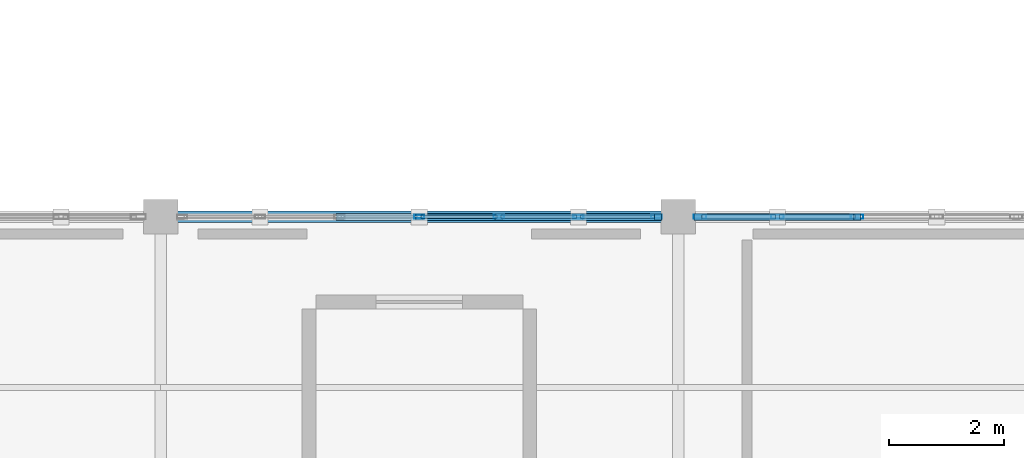
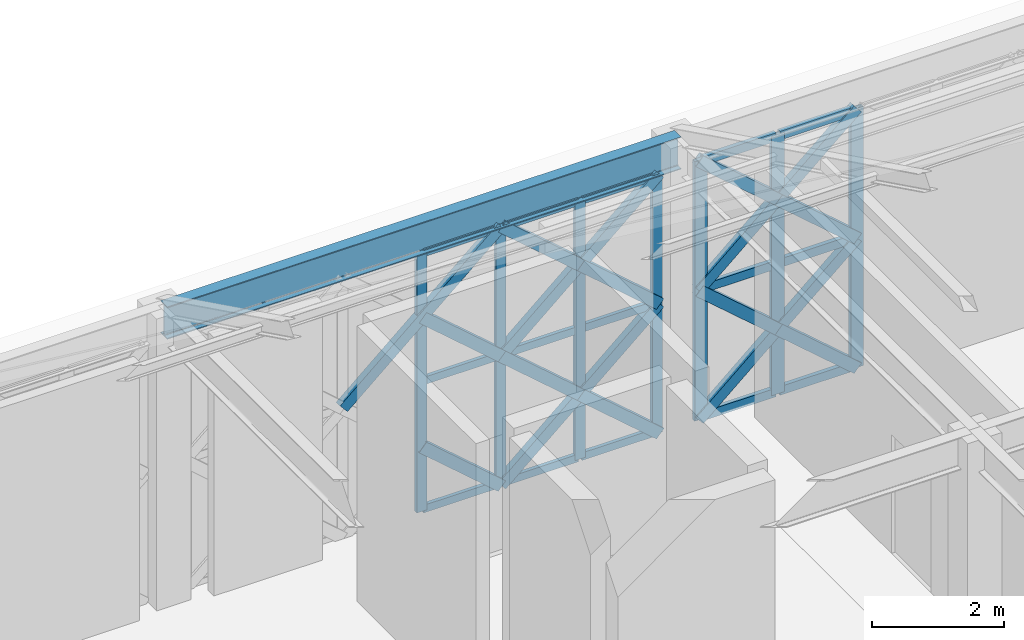
# One storey, part 12 of 32: 37 members, 1 beam, 2 elements without a shape of their own.
"""IFC4 building model written with IfcOpenShell, lengths in metres."""

from ifc_helpers import new_model, si_unit, direction, frame, origin, origin_2d, place, context, subcontext, project, spatial, hollow_rectangle, i_section, extrude, material, material_profile, profile_set, type_object, element, aggregate, save


model = new_model("IFC4")

# Units and contexts
model_context = context("Model", 3, precision=1e-05, world=origin(), true_north=direction((0.0, 1.0)))
body_context = subcontext(model_context, "Body", "Model", "MODEL_VIEW")
ifc_project = project(units=[si_unit("LENGTHUNIT", "METRE"), si_unit("AREAUNIT", "SQUARE_METRE"), si_unit("VOLUMEUNIT", "CUBIC_METRE"), si_unit("PLANEANGLEUNIT", "RADIAN"), si_unit("MASSUNIT", "GRAM", prefix="KILO")], contexts=[model_context])

# Site, building, storey
site_placement = place(None, origin())
site = spatial("IfcSite", under=ifc_project, at=site_placement, CompositionType="ELEMENT")
building_placement = place(site_placement, origin())
building = spatial("IfcBuilding", under=site, at=building_placement, Name="Haizhuo Lancet Aquarium", CompositionType="ELEMENT")
storey_placement = place(building_placement, frame((0.0, 0.0, 27.0)))
storey = spatial("IfcBuildingStorey", under=building, at=storey_placement, Name="L05", CompositionType="ELEMENT", Elevation=27.0)

# Beam
ifc_material_1 = material(Name="Steel S355", Category="steel")
ifc_material_profile_1 = material_profile(ifc_material_1, i_section(OverallWidth=0.199951171875, OverallDepth=0.60009765625, WebThickness=0.010986328125, FlangeThickness=0.01708984375, FilletRadius=0.02197265625, at=origin_2d()), Name="HN 600x200x11x17")
ifc_profile_set_1 = profile_set([ifc_material_profile_1], Name="Steel S355")
beam_type = type_object("IfcBeamType", Name="BM-ST-HN600", PredefinedType="BEAM", material=ifc_profile_set_1)
beam_placement = place(storey_placement, frame((-63.0, -9.0, 5.10009765625), z_axis=(1.0, 0.0, 0.0), x_axis=(0.0, 1.0, 0.0)))
element("IfcBeam", 1, at=beam_placement, inside=storey, type_object=beam_type, Name="L05 V6 primary girder BM-L05-V6-013", PredefinedType="BEAM", context=body_context, shape_type="SweptSolid", body=[
    extrude(i_section(OverallWidth=0.199951171875, OverallDepth=0.60009765625, WebThickness=0.010986328125, FlangeThickness=0.01708984375, FilletRadius=0.02197265625, at=origin_2d()), origin(), (0.0, 0.0, 1.0), 9.0),
])

# Curtain wall, members
ifc_material_2 = material(Name="Aluminium 6063-T6", Category="aluminium")
curtain_wall_type = type_object("IfcCurtainWallType", Name="CWO-8310x4800", PredefinedType="NOTDEFINED", material=ifc_material_2)
curtain_wall_1_placement = place(storey_placement, origin())
curtain_wall_1 = element("IfcCurtainWall", 2, at=curtain_wall_1_placement, inside=storey, type_object=curtain_wall_type, Name="L05 curtain wall CW-V6-L05-262", PredefinedType="NOTDEFINED")
ifc_material_profile_2 = material_profile(ifc_material_2, hollow_rectangle(XDim=0.06494140625, YDim=0.179931640625, WallThickness=0.00390625, at=origin_2d()), Name="ALU-M 65x180x4")
ifc_profile_set_2 = profile_set([ifc_material_profile_2], Name="Aluminium 6063-T6")
member_type_1 = type_object("IfcMemberType", Name="CW-MUL-1", PredefinedType="MULLION", material=ifc_profile_set_2)
member_1_placement = place(storey_placement, frame((-58.5, -9.0, 0.0), z_axis=(0.0, 0.0, 1.0), x_axis=(0.0, 1.0, 0.0)))
member_1 = element("IfcMember", 3, at=member_1_placement, type_object=member_type_1, Name="CWO-83x48 mullion 4", PredefinedType="MULLION", context=body_context, shape_type="SweptSolid", body=[
    extrude(hollow_rectangle(XDim=0.06494140625, YDim=0.179931640625, WallThickness=0.00390625, at=origin_2d()), origin(), (0.0, 0.0, 1.0), 4.800048828125),
])
member_2_placement = place(storey_placement, frame((-57.114990234375, -9.0, 0.0), z_axis=(0.0, 0.0, 1.0), x_axis=(0.0, 1.0, 0.0)))
member_2 = element("IfcMember", 4, at=member_2_placement, type_object=member_type_1, Name="CWO-83x48 mullion 5", PredefinedType="MULLION", context=body_context, shape_type="SweptSolid", body=[
    extrude(hollow_rectangle(XDim=0.06494140625, YDim=0.179931640625, WallThickness=0.00390625, at=origin_2d()), origin(), (0.0, 0.0, 1.0), 4.800048828125),
])
member_3_placement = place(storey_placement, frame((-55.72998046875, -9.0, 0.0), z_axis=(0.0, 0.0, 1.0), x_axis=(0.0, 1.0, 0.0)))
member_3 = element("IfcMember", 5, at=member_3_placement, type_object=member_type_1, Name="CWO-83x48 mullion 6", PredefinedType="MULLION", context=body_context, shape_type="SweptSolid", body=[
    extrude(hollow_rectangle(XDim=0.06494140625, YDim=0.179931640625, WallThickness=0.00390625, at=origin_2d()), origin(), (0.0, 0.0, 1.0), 4.800048828125),
])
member_4_placement = place(storey_placement, frame((-54.376953125, -9.0, 0.0), z_axis=(0.0, 0.0, 1.0), x_axis=(0.0, 1.0, 0.0)))
member_4 = element("IfcMember", 6, at=member_4_placement, type_object=member_type_1, Name="CWO-83x48 mullion 7", PredefinedType="MULLION", context=body_context, shape_type="SweptSolid", body=[
    extrude(hollow_rectangle(XDim=0.06494140625, YDim=0.179931640625, WallThickness=0.00390625, at=origin_2d()), origin(), (0.0, 0.0, 1.0), 4.800048828125),
])

curtain_wall_2_placement = place(storey_placement, origin())
curtain_wall_2 = element("IfcCurtainWall", 7, at=curtain_wall_2_placement, inside=storey, type_object=curtain_wall_type, Name="L05 curtain wall CW-V6-L05-263", PredefinedType="NOTDEFINED")
ifc_material_profile_3 = material_profile(ifc_material_2, hollow_rectangle(XDim=0.074951171875, YDim=0.219970703125, WallThickness=0.0048828125, at=origin_2d()), Name="ALU-M 75x220x5")
ifc_profile_set_3 = profile_set([ifc_material_profile_3], Name="Aluminium 6063-T6")
member_type_2 = type_object("IfcMemberType", Name="CW-MUL-2", PredefinedType="MULLION", material=ifc_profile_set_3)
member_5_placement = place(storey_placement, frame((-53.616943359375, -9.0, 0.0), z_axis=(0.0, 0.0, 1.0), x_axis=(0.0, 1.0, 0.0)))
member_5 = element("IfcMember", 8, at=member_5_placement, type_object=member_type_2, Name="CWO-83x48 mullion 1", PredefinedType="MULLION", context=body_context, shape_type="SweptSolid", body=[
    extrude(hollow_rectangle(XDim=0.074951171875, YDim=0.219970703125, WallThickness=0.0048828125, at=origin_2d()), origin(), (0.0, 0.0, 1.0), 4.800048828125),
])
member_6_placement = place(storey_placement, frame((-52.27001953125, -9.0, 0.0), z_axis=(0.0, 0.0, 1.0), x_axis=(0.0, 1.0, 0.0)))
member_6 = element("IfcMember", 9, at=member_6_placement, type_object=member_type_2, Name="CWO-83x48 mullion 2", PredefinedType="MULLION", context=body_context, shape_type="SweptSolid", body=[
    extrude(hollow_rectangle(XDim=0.074951171875, YDim=0.219970703125, WallThickness=0.0048828125, at=origin_2d()), origin(), (0.0, 0.0, 1.0), 4.800048828125),
])
member_7_placement = place(storey_placement, frame((-50.885009765625, -9.0, 0.0), z_axis=(0.0, 0.0, 1.0), x_axis=(0.0, 1.0, 0.0)))
member_7 = element("IfcMember", 10, at=member_7_placement, type_object=member_type_2, Name="CWO-83x48 mullion 3", PredefinedType="MULLION", context=body_context, shape_type="SweptSolid", body=[
    extrude(hollow_rectangle(XDim=0.074951171875, YDim=0.219970703125, WallThickness=0.0048828125, at=origin_2d()), origin(), (0.0, 0.0, 1.0), 4.800048828125),
])

# Member
ifc_material_profile_4 = material_profile(ifc_material_2, hollow_rectangle(XDim=0.06494140625, YDim=0.139892578125, WallThickness=0.00390625, at=origin_2d()), Name="ALU-T 65x140x4")
ifc_profile_set_4 = profile_set([ifc_material_profile_4], Name="Aluminium 6063-T6")
member_type_3 = type_object("IfcMemberType", Name="CW-TRN-1", PredefinedType="NOTDEFINED", material=ifc_profile_set_4)
member_8_placement = place(storey_placement, frame((-58.468017578125, -9.0, 0.031982421875), z_axis=(1.0, 0.0, 0.0), x_axis=(0.0, 1.0, 0.0)))
member_8 = element("IfcMember", 11, at=member_8_placement, type_object=member_type_3, Name="CWO-83x48 transom 4.1", ObjectType="TRANSOM", PredefinedType="USERDEFINED", context=body_context, shape_type="SweptSolid", body=[
    extrude(hollow_rectangle(XDim=0.06494140625, YDim=0.139892578125, WallThickness=0.00390625, at=origin_2d()), origin(), (0.0, 0.0, 1.0), 1.320068359375),
])

member_9_placement = place(storey_placement, frame((-58.468017578125, -9.0, 2.39990234375), z_axis=(1.0, 0.0, 0.0), x_axis=(0.0, 1.0, 0.0)))
member_9 = element("IfcMember", 12, at=member_9_placement, type_object=member_type_3, Name="CWO-83x48 transom 4.2", ObjectType="TRANSOM", PredefinedType="USERDEFINED", context=body_context, shape_type="SweptSolid", body=[
    extrude(hollow_rectangle(XDim=0.06494140625, YDim=0.139892578125, WallThickness=0.00390625, at=origin_2d()), origin(), (0.0, 0.0, 1.0), 1.320068359375),
])

member_10_placement = place(storey_placement, frame((-58.468017578125, -9.0, 4.76806640625), z_axis=(1.0, 0.0, 0.0), x_axis=(0.0, 1.0, 0.0)))
member_10 = element("IfcMember", 13, at=member_10_placement, type_object=member_type_3, Name="CWO-83x48 transom 4.3", ObjectType="TRANSOM", PredefinedType="USERDEFINED", context=body_context, shape_type="SweptSolid", body=[
    extrude(hollow_rectangle(XDim=0.06494140625, YDim=0.139892578125, WallThickness=0.00390625, at=origin_2d()), origin(), (0.0, 0.0, 1.0), 1.320068359375),
])

member_11_placement = place(storey_placement, frame((-57.08203125, -9.0, 0.031982421875), z_axis=(1.0, 0.0, 0.0), x_axis=(0.0, 1.0, 0.0)))
member_11 = element("IfcMember", 14, at=member_11_placement, type_object=member_type_3, Name="CWO-83x48 transom 5.1", ObjectType="TRANSOM", PredefinedType="USERDEFINED", context=body_context, shape_type="SweptSolid", body=[
    extrude(hollow_rectangle(XDim=0.06494140625, YDim=0.139892578125, WallThickness=0.00390625, at=origin_2d()), origin(), (0.0, 0.0, 1.0), 1.320068359375),
])

member_12_placement = place(storey_placement, frame((-57.08203125, -9.0, 2.39990234375), z_axis=(1.0, 0.0, 0.0), x_axis=(0.0, 1.0, 0.0)))
member_12 = element("IfcMember", 15, at=member_12_placement, type_object=member_type_3, Name="CWO-83x48 transom 5.2", ObjectType="TRANSOM", PredefinedType="USERDEFINED", context=body_context, shape_type="SweptSolid", body=[
    extrude(hollow_rectangle(XDim=0.06494140625, YDim=0.139892578125, WallThickness=0.00390625, at=origin_2d()), origin(), (0.0, 0.0, 1.0), 1.320068359375),
])

member_13_placement = place(storey_placement, frame((-57.08203125, -9.0, 4.76806640625), z_axis=(1.0, 0.0, 0.0), x_axis=(0.0, 1.0, 0.0)))
member_13 = element("IfcMember", 16, at=member_13_placement, type_object=member_type_3, Name="CWO-83x48 transom 5.3", ObjectType="TRANSOM", PredefinedType="USERDEFINED", context=body_context, shape_type="SweptSolid", body=[
    extrude(hollow_rectangle(XDim=0.06494140625, YDim=0.139892578125, WallThickness=0.00390625, at=origin_2d()), origin(), (0.0, 0.0, 1.0), 1.320068359375),
])

member_14_placement = place(storey_placement, frame((-55.697021484375, -9.0, 0.031982421875), z_axis=(1.0, 0.0, 0.0), x_axis=(0.0, 1.0, 0.0)))
member_14 = element("IfcMember", 17, at=member_14_placement, type_object=member_type_3, Name="CWO-83x48 transom 6.1", ObjectType="TRANSOM", PredefinedType="USERDEFINED", context=body_context, shape_type="SweptSolid", body=[
    extrude(hollow_rectangle(XDim=0.06494140625, YDim=0.139892578125, WallThickness=0.00390625, at=origin_2d()), origin(), (0.0, 0.0, 1.0), 1.287109375),
])

member_15_placement = place(storey_placement, frame((-55.697021484375, -9.0, 2.39990234375), z_axis=(1.0, 0.0, 0.0), x_axis=(0.0, 1.0, 0.0)))
member_15 = element("IfcMember", 18, at=member_15_placement, type_object=member_type_3, Name="CWO-83x48 transom 6.2", ObjectType="TRANSOM", PredefinedType="USERDEFINED", context=body_context, shape_type="SweptSolid", body=[
    extrude(hollow_rectangle(XDim=0.06494140625, YDim=0.139892578125, WallThickness=0.00390625, at=origin_2d()), origin(), (0.0, 0.0, 1.0), 1.287109375),
])

member_16_placement = place(storey_placement, frame((-55.697021484375, -9.0, 4.76806640625), z_axis=(1.0, 0.0, 0.0), x_axis=(0.0, 1.0, 0.0)))
member_16 = element("IfcMember", 19, at=member_16_placement, type_object=member_type_3, Name="CWO-83x48 transom 6.3", ObjectType="TRANSOM", PredefinedType="USERDEFINED", context=body_context, shape_type="SweptSolid", body=[
    extrude(hollow_rectangle(XDim=0.06494140625, YDim=0.139892578125, WallThickness=0.00390625, at=origin_2d()), origin(), (0.0, 0.0, 1.0), 1.287109375),
])

aggregate(curtain_wall_1, [member_1, member_2, member_3, member_4, member_8, member_9, member_10, member_11, member_12, member_13, member_14, member_15, member_16])

ifc_material_profile_5 = material_profile(ifc_material_2, hollow_rectangle(XDim=0.074951171875, YDim=0.159912109375, WallThickness=0.00390625, at=origin_2d()), Name="ALU-T 75x160x4")
ifc_profile_set_5 = profile_set([ifc_material_profile_5], Name="Aluminium 6063-T6")
member_type_4 = type_object("IfcMemberType", Name="CW-TRN-2", PredefinedType="NOTDEFINED", material=ifc_profile_set_5)
member_17_placement = place(storey_placement, frame((-53.580078125, -9.0, 0.0380859375), z_axis=(1.0, 0.0, 0.0), x_axis=(0.0, 1.0, 0.0)))
member_17 = element("IfcMember", 20, at=member_17_placement, type_object=member_type_4, Name="CWO-83x48 transom 1.1", ObjectType="TRANSOM", PredefinedType="USERDEFINED", context=body_context, shape_type="SweptSolid", body=[
    extrude(hollow_rectangle(XDim=0.074951171875, YDim=0.159912109375, WallThickness=0.00390625, at=origin_2d()), origin(), (0.0, 0.0, 1.0), 1.273193359375),
])

member_18_placement = place(storey_placement, frame((-53.580078125, -9.0, 2.39990234375), z_axis=(1.0, 0.0, 0.0), x_axis=(0.0, 1.0, 0.0)))
member_18 = element("IfcMember", 21, at=member_18_placement, type_object=member_type_4, Name="CWO-83x48 transom 1.2", ObjectType="TRANSOM", PredefinedType="USERDEFINED", context=body_context, shape_type="SweptSolid", body=[
    extrude(hollow_rectangle(XDim=0.074951171875, YDim=0.159912109375, WallThickness=0.00390625, at=origin_2d()), origin(), (0.0, 0.0, 1.0), 1.273193359375),
])

member_19_placement = place(storey_placement, frame((-53.580078125, -9.0, 4.761962890625), z_axis=(1.0, 0.0, 0.0), x_axis=(0.0, 1.0, 0.0)))
member_19 = element("IfcMember", 22, at=member_19_placement, type_object=member_type_4, Name="CWO-83x48 transom 1.3", ObjectType="TRANSOM", PredefinedType="USERDEFINED", context=body_context, shape_type="SweptSolid", body=[
    extrude(hollow_rectangle(XDim=0.074951171875, YDim=0.159912109375, WallThickness=0.00390625, at=origin_2d()), origin(), (0.0, 0.0, 1.0), 1.273193359375),
])

member_20_placement = place(storey_placement, frame((-52.23291015625, -9.0, 0.0380859375), z_axis=(1.0, 0.0, 0.0), x_axis=(0.0, 1.0, 0.0)))
member_20 = element("IfcMember", 23, at=member_20_placement, type_object=member_type_4, Name="CWO-83x48 transom 2.1", ObjectType="TRANSOM", PredefinedType="USERDEFINED", context=body_context, shape_type="SweptSolid", body=[
    extrude(hollow_rectangle(XDim=0.074951171875, YDim=0.159912109375, WallThickness=0.00390625, at=origin_2d()), origin(), (0.0, 0.0, 1.0), 1.310791015625),
])

member_21_placement = place(storey_placement, frame((-52.23291015625, -9.0, 2.39990234375), z_axis=(1.0, 0.0, 0.0), x_axis=(0.0, 1.0, 0.0)))
member_21 = element("IfcMember", 24, at=member_21_placement, type_object=member_type_4, Name="CWO-83x48 transom 2.2", ObjectType="TRANSOM", PredefinedType="USERDEFINED", context=body_context, shape_type="SweptSolid", body=[
    extrude(hollow_rectangle(XDim=0.074951171875, YDim=0.159912109375, WallThickness=0.00390625, at=origin_2d()), origin(), (0.0, 0.0, 1.0), 1.310791015625),
])

member_22_placement = place(storey_placement, frame((-52.23291015625, -9.0, 4.761962890625), z_axis=(1.0, 0.0, 0.0), x_axis=(0.0, 1.0, 0.0)))
member_22 = element("IfcMember", 25, at=member_22_placement, type_object=member_type_4, Name="CWO-83x48 transom 2.3", ObjectType="TRANSOM", PredefinedType="USERDEFINED", context=body_context, shape_type="SweptSolid", body=[
    extrude(hollow_rectangle(XDim=0.074951171875, YDim=0.159912109375, WallThickness=0.00390625, at=origin_2d()), origin(), (0.0, 0.0, 1.0), 1.310791015625),
])

aggregate(curtain_wall_2, [member_5, member_6, member_7, member_17, member_18, member_19, member_20, member_21, member_22])

# Members
ifc_material_profile_6 = material_profile(ifc_material_1, hollow_rectangle(XDim=0.1201171875, YDim=0.199951171875, WallThickness=0.008056640625, at=origin_2d()), Name="RHS 120x200x8")
ifc_profile_set_6 = profile_set([ifc_material_profile_6], Name="Steel S355")
member_type_5 = type_object("IfcMemberType", Name="MEM-LB-RHS120x200", PredefinedType="BRACE", material=ifc_profile_set_6)
member_23_placement = place(storey_placement, frame((-57.114990234375, -9.0, 0.0), z_axis=(-0.755794572232, 0.0, 0.654808800021), x_axis=(0.0, -1.0, 0.0)))
element("IfcMember", 26, at=member_23_placement, inside=storey, type_object=member_type_5, Name="Gothic lancet split diagonal brace CW-V6-L05-262 3B1", PredefinedType="BRACE", context=body_context, shape_type="SweptSolid", body=[
    extrude(hollow_rectangle(XDim=0.1201171875, YDim=0.199951171875, WallThickness=0.008056640625, at=origin_2d()), origin(), (0.0, 0.0, 1.0), 1.83251953125),
])
member_24_placement = place(storey_placement, frame((-59.885009765625, -9.0, 2.39990234375), z_axis=(0.755761605724, 0.0, 0.654846848746), x_axis=(0.0, 1.0, 0.0)))
element("IfcMember", 27, at=member_24_placement, inside=storey, type_object=member_type_5, Name="Gothic lancet continuous diagonal brace CW-V6-L05-262 4A", PredefinedType="BRACE", context=body_context, shape_type="SweptSolid", body=[
    extrude(hollow_rectangle(XDim=0.1201171875, YDim=0.199951171875, WallThickness=0.008056640625, at=origin_2d()), origin(), (0.0, 0.0, 1.0), 3.665283203125),
])
member_25_placement = place(storey_placement, frame((-57.114990234375, -9.0, 2.39990234375), z_axis=(-0.755728640177, 0.0, 0.654884892493), x_axis=(0.0, -1.0, 0.0)))
element("IfcMember", 28, at=member_25_placement, inside=storey, type_object=member_type_5, Name="Gothic lancet split diagonal brace CW-V6-L05-262 4B1", PredefinedType="BRACE", context=body_context, shape_type="SweptSolid", body=[
    extrude(hollow_rectangle(XDim=0.1201171875, YDim=0.199951171875, WallThickness=0.008056640625, at=origin_2d()), origin(), (0.0, 0.0, 1.0), 1.832763671875),
])
member_26_placement = place(storey_placement, frame((-57.114990234375, -9.0, 0.0), z_axis=(0.755794572232, 0.0, 0.654808800021), x_axis=(0.0, 1.0, 0.0)))
element("IfcMember", 29, at=member_26_placement, inside=storey, type_object=member_type_5, Name="Gothic lancet continuous diagonal brace CW-V6-L05-262 5A", PredefinedType="BRACE", context=body_context, shape_type="SweptSolid", body=[
    extrude(hollow_rectangle(XDim=0.1201171875, YDim=0.199951171875, WallThickness=0.008056640625, at=origin_2d()), origin(), (0.0, 0.0, 1.0), 3.6650390625),
])
for number, where, z_axis, x_axis, name in (
    (30, (-54.344970703125, -9.0, 0.0), (-0.755794572232, 0.0, 0.654808800021), (0.0, -1.0, 0.0), "Gothic lancet split diagonal brace CW-V6-L05-262 5B1"),
    (31, (-55.72998046875, -9.0, 1.199951171875), (-0.755794572232, 0.0, 0.654808800021), (0.0, -1.0, 0.0), "Gothic lancet split diagonal brace CW-V6-L05-262 5B2"),
):
    element("IfcMember", number, at=place(storey_placement, frame(where, z_axis=z_axis, x_axis=x_axis)), inside=storey, type_object=member_type_5, Name=name, PredefinedType="BRACE", context=body_context, shape_type="SweptSolid", body=[
        extrude(hollow_rectangle(XDim=0.1201171875, YDim=0.199951171875, WallThickness=0.008056640625, at=origin_2d()), origin(), (0.0, 0.0, 1.0), 1.83251953125),
    ])
member_27_placement = place(storey_placement, frame((-57.114990234375, -9.0, 2.39990234375), z_axis=(0.755761605724, 0.0, 0.654846848746), x_axis=(0.0, 1.0, 0.0)))
element("IfcMember", 32, at=member_27_placement, inside=storey, type_object=member_type_5, Name="Gothic lancet continuous diagonal brace CW-V6-L05-262 6A", PredefinedType="BRACE", context=body_context, shape_type="SweptSolid", body=[
    extrude(hollow_rectangle(XDim=0.1201171875, YDim=0.199951171875, WallThickness=0.008056640625, at=origin_2d()), origin(), (0.0, 0.0, 1.0), 3.665283203125),
])
member_28_placement = place(storey_placement, frame((-54.344970703125, -9.0, 2.39990234375), z_axis=(-0.755728640177, 0.0, 0.654884892493), x_axis=(0.0, -1.0, 0.0)))
element("IfcMember", 33, at=member_28_placement, inside=storey, type_object=member_type_5, Name="Gothic lancet split diagonal brace CW-V6-L05-262 6B1", PredefinedType="BRACE", context=body_context, shape_type="SweptSolid", body=[
    extrude(hollow_rectangle(XDim=0.1201171875, YDim=0.199951171875, WallThickness=0.008056640625, at=origin_2d()), origin(), (0.0, 0.0, 1.0), 1.832763671875),
])
member_29_placement = place(storey_placement, frame((-55.72998046875, -9.0, 3.60009765625), z_axis=(-0.755794572232, 0.0, 0.654808800021), x_axis=(0.0, -1.0, 0.0)))
element("IfcMember", 34, at=member_29_placement, inside=storey, type_object=member_type_5, Name="Gothic lancet split diagonal brace CW-V6-L05-262 6B2", PredefinedType="BRACE", context=body_context, shape_type="SweptSolid", body=[
    extrude(hollow_rectangle(XDim=0.1201171875, YDim=0.199951171875, WallThickness=0.008056640625, at=origin_2d()), origin(), (0.0, 0.0, 1.0), 1.83251953125),
])
member_30_placement = place(storey_placement, frame((-53.655029296875, -9.0, 0.0), z_axis=(0.755794572232, 0.0, 0.654808800021), x_axis=(0.0, 1.0, 0.0)))
element("IfcMember", 35, at=member_30_placement, inside=storey, type_object=member_type_5, Name="Gothic lancet continuous diagonal brace CW-V6-L05-263 1A", PredefinedType="BRACE", context=body_context, shape_type="SweptSolid", body=[
    extrude(hollow_rectangle(XDim=0.1201171875, YDim=0.199951171875, WallThickness=0.008056640625, at=origin_2d()), origin(), (0.0, 0.0, 1.0), 3.6650390625),
])
for number, where, z_axis, x_axis, name in (
    (36, (-50.885009765625, -9.0, 0.0), (-0.755794572232, 0.0, 0.654808800021), (0.0, -1.0, 0.0), "Gothic lancet split diagonal brace CW-V6-L05-263 1B1"),
    (37, (-52.27001953125, -9.0, 1.199951171875), (-0.755794572232, 0.0, 0.654808800021), (0.0, -1.0, 0.0), "Gothic lancet split diagonal brace CW-V6-L05-263 1B2"),
):
    element("IfcMember", number, at=place(storey_placement, frame(where, z_axis=z_axis, x_axis=x_axis)), inside=storey, type_object=member_type_5, Name=name, PredefinedType="BRACE", context=body_context, shape_type="SweptSolid", body=[
        extrude(hollow_rectangle(XDim=0.1201171875, YDim=0.199951171875, WallThickness=0.008056640625, at=origin_2d()), origin(), (0.0, 0.0, 1.0), 1.83251953125),
    ])
member_31_placement = place(storey_placement, frame((-53.655029296875, -9.0, 2.39990234375), z_axis=(0.755761605724, 0.0, 0.654846848746), x_axis=(0.0, 1.0, 0.0)))
element("IfcMember", 38, at=member_31_placement, inside=storey, type_object=member_type_5, Name="Gothic lancet continuous diagonal brace CW-V6-L05-263 2A", PredefinedType="BRACE", context=body_context, shape_type="SweptSolid", body=[
    extrude(hollow_rectangle(XDim=0.1201171875, YDim=0.199951171875, WallThickness=0.008056640625, at=origin_2d()), origin(), (0.0, 0.0, 1.0), 3.665283203125),
])
member_32_placement = place(storey_placement, frame((-50.885009765625, -9.0, 2.39990234375), z_axis=(-0.755728640177, 0.0, 0.654884892493), x_axis=(0.0, -1.0, 0.0)))
element("IfcMember", 39, at=member_32_placement, inside=storey, type_object=member_type_5, Name="Gothic lancet split diagonal brace CW-V6-L05-263 2B1", PredefinedType="BRACE", context=body_context, shape_type="SweptSolid", body=[
    extrude(hollow_rectangle(XDim=0.1201171875, YDim=0.199951171875, WallThickness=0.008056640625, at=origin_2d()), origin(), (0.0, 0.0, 1.0), 1.832763671875),
])
member_33_placement = place(storey_placement, frame((-52.27001953125, -9.0, 3.60009765625), z_axis=(-0.755794572232, 0.0, 0.654808800021), x_axis=(0.0, -1.0, 0.0)))
element("IfcMember", 40, at=member_33_placement, inside=storey, type_object=member_type_5, Name="Gothic lancet split diagonal brace CW-V6-L05-263 2B2", PredefinedType="BRACE", context=body_context, shape_type="SweptSolid", body=[
    extrude(hollow_rectangle(XDim=0.1201171875, YDim=0.199951171875, WallThickness=0.008056640625, at=origin_2d()), origin(), (0.0, 0.0, 1.0), 1.83251953125),
])

save(model, "model.ifc")
